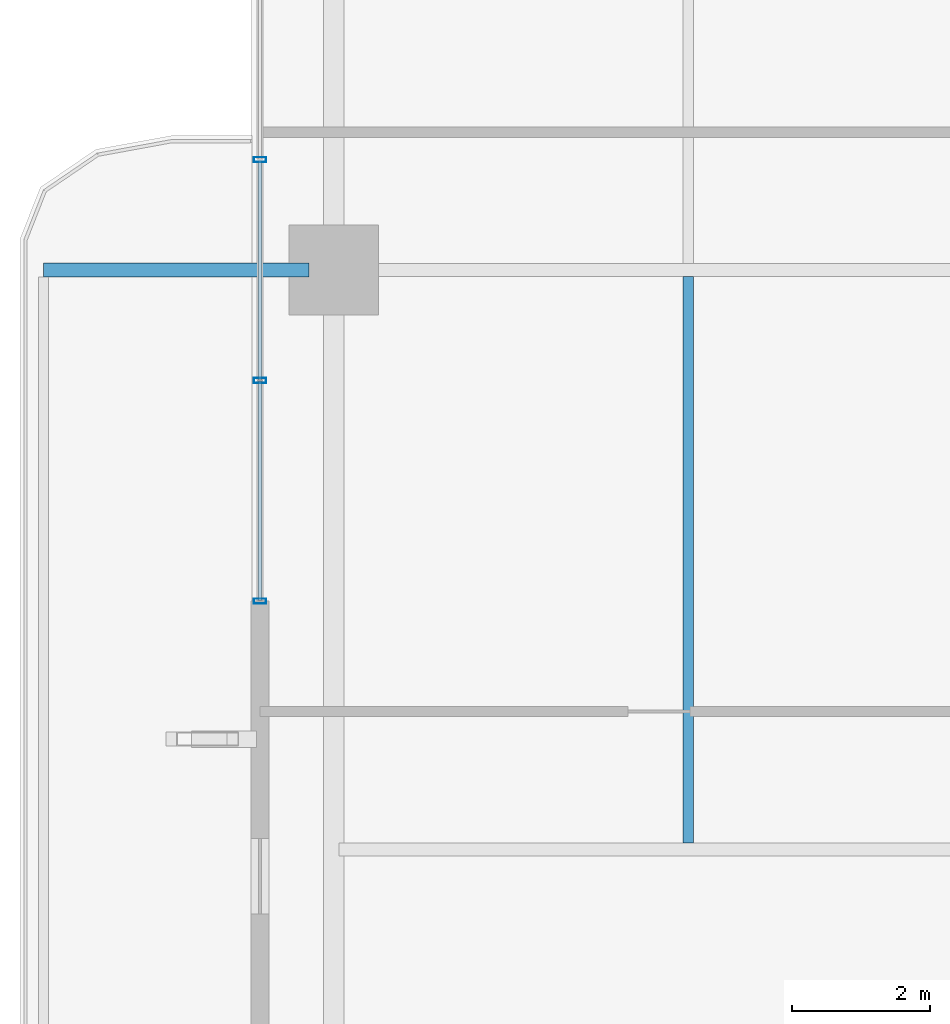
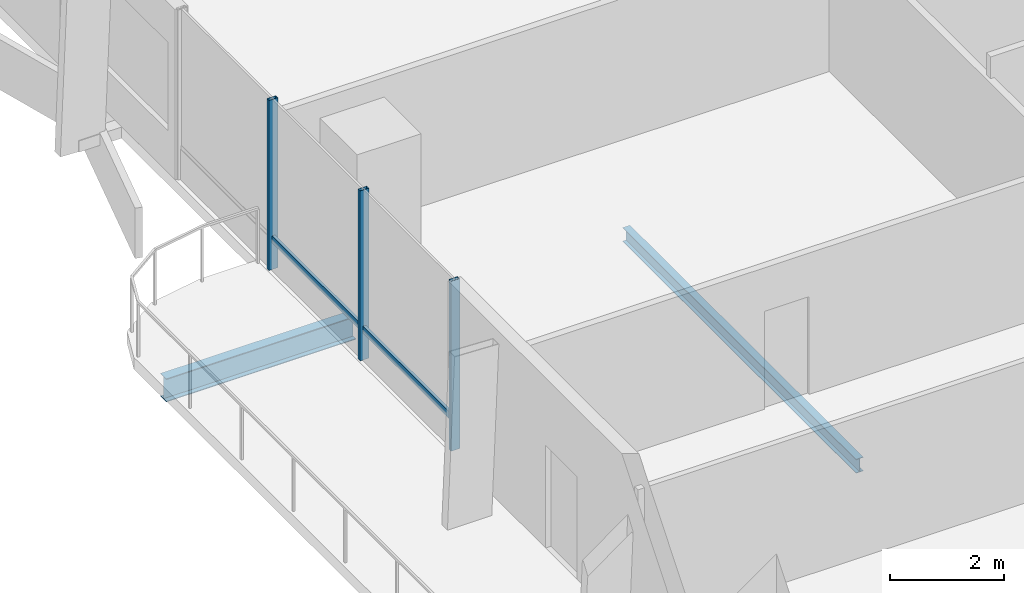
# One storey, part 4 of 24: 5 members, 2 beams, 1 element without a shape of its own.
"""IFC4 building model written with IfcOpenShell, lengths in metres."""

from ifc_helpers import new_model, si_unit, direction, frame, origin, origin_2d, place, context, subcontext, project, spatial, hollow_rectangle, i_section, extrude, material, layer, layer_set, material_profile, profile_set, type_object, element, aggregate, save


model = new_model("IFC4")

# Units and contexts
model_context = context("Model", 3, precision=1e-05, world=origin(), true_north=direction((0.0, 1.0)))
body_context = subcontext(model_context, "Body", "Model", "MODEL_VIEW")
ifc_project = project(units=[si_unit("LENGTHUNIT", "METRE"), si_unit("AREAUNIT", "SQUARE_METRE"), si_unit("VOLUMEUNIT", "CUBIC_METRE"), si_unit("PLANEANGLEUNIT", "RADIAN"), si_unit("MASSUNIT", "GRAM", prefix="KILO")], contexts=[model_context])

# Site, building, storey
site_placement = place(None, origin())
site = spatial("IfcSite", under=ifc_project, at=site_placement, CompositionType="ELEMENT")
building_placement = place(site_placement, origin())
building = spatial("IfcBuilding", under=site, at=building_placement, Name="Belovzor Exchange Tower", CompositionType="ELEMENT")
storey_placement = place(building_placement, frame((0.0, 0.0, 121.199951171875)))
storey = spatial("IfcBuildingStorey", under=building, at=storey_placement, Name="L29", CompositionType="ELEMENT", Elevation=121.199951171875)

# Beams
ifc_material_1 = material(Name="Steel S355", Category="steel")
ifc_material_profile_1 = material_profile(ifc_material_1, i_section(OverallWidth=0.199951171875, OverallDepth=0.5, WebThickness=0.01025390625, FlangeThickness=0.01611328125, at=origin_2d()))
ifc_profile_set_1 = profile_set([ifc_material_profile_1], Name="Steel S355")
beam_type_1 = type_object("IfcBeamType", Name="Planted Balcony Cantilever Beam IPE 500", PredefinedType="BEAM", material=ifc_profile_set_1)
beam_1_placement = place(storey_placement, frame((3.5419921875, 28.800048828125, -0.5), z_axis=(-1.0, 0.0, 0.0), x_axis=(0.0, -1.0, 0.0)))
element("IfcBeam", 1, at=beam_1_placement, inside=storey, type_object=beam_type_1, Name="BC-500 Planted Balcony Cantilever Beam IPE 500", PredefinedType="BEAM", context=body_context, shape_type="SweptSolid", body=[
    extrude(i_section(OverallWidth=0.199951171875, OverallDepth=0.5, WebThickness=0.01025390625, FlangeThickness=0.01611328125, at=origin_2d()), origin(), (0.0, 0.0, 1.0), 3.85009765625),
])
ifc_material_2 = material(Name="Steel S355", Category="steel")
ifc_material_profile_2 = material_profile(ifc_material_2, i_section(OverallWidth=0.14990234375, OverallDepth=0.300048828125, WebThickness=0.007080078125, FlangeThickness=0.0107421875, at=origin_2d()))
ifc_profile_set_2 = profile_set([ifc_material_profile_2], Name="Steel S355")
beam_type_2 = type_object("IfcBeamType", Name="Secondary Trim Floor Joist IPE 300", PredefinedType="BEAM", material=ifc_profile_set_2)
beam_2_placement = place(storey_placement, frame((9.0390625, 20.4951171875, -0.39990234375), z_axis=(0.0, 1.0, 0.0), x_axis=(-1.0, 0.0, 0.0)))
element("IfcBeam", 2, at=beam_2_placement, inside=storey, type_object=beam_type_2, Name="FJ-300 Secondary Trim Floor Joist IPE 300", PredefinedType="BEAM", context=body_context, shape_type="SweptSolid", body=[
    extrude(i_section(OverallWidth=0.14990234375, OverallDepth=0.300048828125, WebThickness=0.007080078125, FlangeThickness=0.0107421875, at=origin_2d()), origin(), (0.0, 0.0, 1.0), 8.2099609375),
])

# Curtain wall, members
ifc_material_3 = material(Name="Anodised Aluminium Framing", Category="aluminium")
ifc_layer = layer(ifc_material_3, 0.179931640625)
ifc_layer_set = layer_set([ifc_layer], Name="Anodised Aluminium Framing")
curtain_wall_type = type_object("IfcCurtainWallType", Name="Recessed Loggia Low-Iron Triple-Glazed Curtain Wall", PredefinedType="NOTDEFINED", material=ifc_layer_set)
curtain_wall_placement = place(storey_placement, origin())
curtain_wall = element("IfcCurtainWall", 3, at=curtain_wall_placement, inside=storey, type_object=curtain_wall_type, Name="CW3 Recessed Loggia Low-Iron Triple-Glazed Curtain Wall L29", PredefinedType="NOTDEFINED")
ifc_material_4 = material(Name="Steel S355", Category="steel")
ifc_material_profile_3 = material_profile(ifc_material_4, hollow_rectangle(XDim=0.074951171875, YDim=0.179931640625, WallThickness=0.0048828125, at=origin_2d()))
ifc_profile_set_3 = profile_set([ifc_material_profile_3], Name="Steel S355")
member_type_1 = type_object("IfcMemberType", Name="Thermally Broken Curtain Wall Mullion 180x75", PredefinedType="MULLION", material=ifc_profile_set_3)
member_1_placement = place(storey_placement, frame((2.830078125, 24.0, 0.0), z_axis=(0.0, 0.0, 1.0), x_axis=(0.0, 1.0, 0.0)))
member_1 = element("IfcMember", 4, at=member_1_placement, type_object=member_type_1, Name="CW-M180 Curtain Wall Mullion 1", PredefinedType="MULLION", context=body_context, shape_type="SweptSolid", body=[
    extrude(hollow_rectangle(XDim=0.074951171875, YDim=0.179931640625, WallThickness=0.0048828125, at=origin_2d()), origin(), (0.0, 0.0, 1.0), 3.650146484375),
])
member_2_placement = place(storey_placement, frame((2.830078125, 27.199951171875, 0.0), z_axis=(0.0, 0.0, 1.0), x_axis=(0.0, 1.0, 0.0)))
member_2 = element("IfcMember", 5, at=member_2_placement, type_object=member_type_1, Name="CW-M180 Curtain Wall Mullion 2", PredefinedType="MULLION", context=body_context, shape_type="SweptSolid", body=[
    extrude(hollow_rectangle(XDim=0.074951171875, YDim=0.179931640625, WallThickness=0.0048828125, at=origin_2d()), origin(), (0.0, 0.0, 1.0), 3.650146484375),
])
member_3_placement = place(storey_placement, frame((2.830078125, 30.39990234375, 0.0), z_axis=(0.0, 0.0, 1.0), x_axis=(0.0, 1.0, 0.0)))
member_3 = element("IfcMember", 6, at=member_3_placement, type_object=member_type_1, Name="CW-M180 Curtain Wall Mullion 3", PredefinedType="MULLION", context=body_context, shape_type="SweptSolid", body=[
    extrude(hollow_rectangle(XDim=0.074951171875, YDim=0.179931640625, WallThickness=0.0048828125, at=origin_2d()), origin(), (0.0, 0.0, 1.0), 3.650146484375),
])
ifc_material_5 = material(Name="Steel S355", Category="steel")
ifc_material_profile_4 = material_profile(ifc_material_5, hollow_rectangle(XDim=0.06005859375, YDim=0.14990234375, WallThickness=0.00390625, at=origin_2d()))
ifc_profile_set_4 = profile_set([ifc_material_profile_4], Name="Steel S355")
member_type_2 = type_object("IfcMemberType", Name="Thermally Broken Curtain Wall Transom 150x60", PredefinedType="USERDEFINED", material=ifc_profile_set_4)
member_4_placement = place(storey_placement, frame((2.830078125, 24.008056640625, 0.650146484375), z_axis=(0.0, 1.0, 0.0), x_axis=(-1.0, 0.0, 0.0)))
member_4 = element("IfcMember", 7, at=member_4_placement, type_object=member_type_2, Name="CW-T150 Curtain Wall Transom 1", ObjectType="TRANSOM", PredefinedType="USERDEFINED", context=body_context, shape_type="SweptSolid", body=[
    extrude(hollow_rectangle(XDim=0.06005859375, YDim=0.14990234375, WallThickness=0.00390625, at=origin_2d()), origin(), (0.0, 0.0, 1.0), 3.183837890625),
])
member_5_placement = place(storey_placement, frame((2.830078125, 27.2080078125, 0.650146484375), z_axis=(0.0, 1.0, 0.0), x_axis=(-1.0, 0.0, 0.0)))
member_5 = element("IfcMember", 8, at=member_5_placement, type_object=member_type_2, Name="CW-T150 Curtain Wall Transom 2", ObjectType="TRANSOM", PredefinedType="USERDEFINED", context=body_context, shape_type="SweptSolid", body=[
    extrude(hollow_rectangle(XDim=0.06005859375, YDim=0.14990234375, WallThickness=0.00390625, at=origin_2d()), origin(), (0.0, 0.0, 1.0), 3.18408203125),
])
aggregate(curtain_wall, [member_1, member_2, member_3, member_4, member_5])

save(model, "model.ifc")
